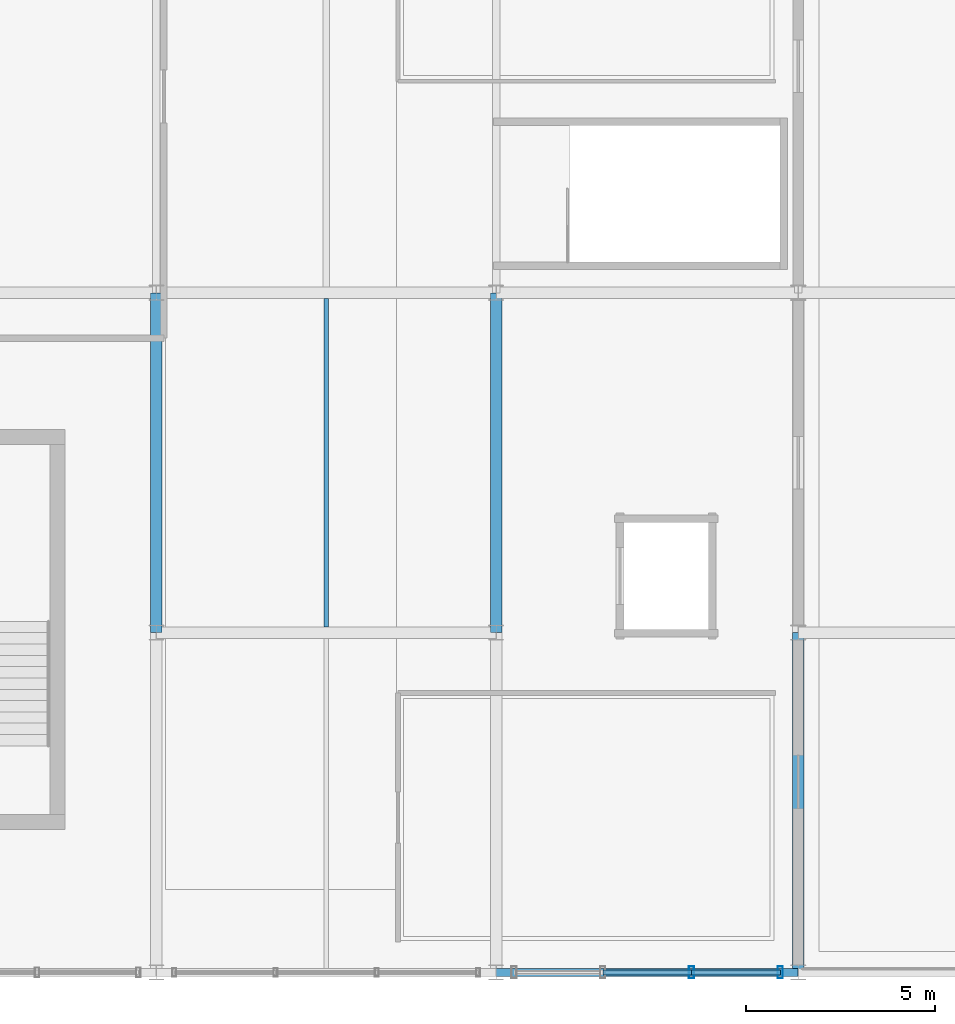
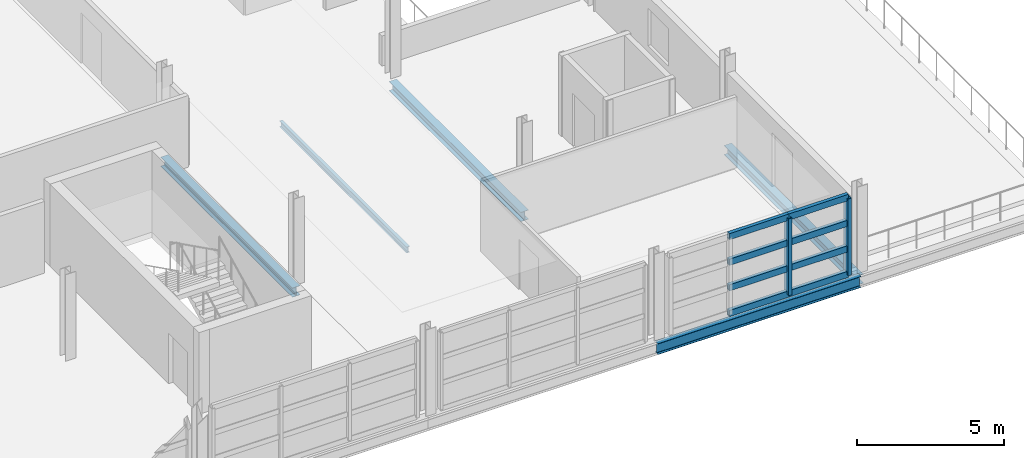
# One storey, part 63 of 116: 10 members, 5 beams, 1 element without a shape of its own.
"""IFC4 building model written with IfcOpenShell, lengths in metres."""

from ifc_helpers import new_model, si_unit, direction, frame, origin, origin_2d, place, context, subcontext, project, spatial, hollow_rectangle, i_section, extrude, material, material_profile, profile_set, type_object, element, aggregate, save


model = new_model("IFC4")

# Units and contexts
model_context = context("Model", 3, precision=1e-05, world=origin(), true_north=direction((0.0, 1.0)))
body_context = subcontext(model_context, "Body", "Model", "MODEL_VIEW")
ifc_project = project(units=[si_unit("LENGTHUNIT", "METRE"), si_unit("AREAUNIT", "SQUARE_METRE"), si_unit("VOLUMEUNIT", "CUBIC_METRE"), si_unit("PLANEANGLEUNIT", "RADIAN"), si_unit("MASSUNIT", "GRAM", prefix="KILO")], contexts=[model_context])

# Site, building, storey
site_placement = place(None, origin())
site = spatial("IfcSite", under=ifc_project, at=site_placement, CompositionType="ELEMENT")
building_placement = place(site_placement, origin())
building = spatial("IfcBuilding", under=site, at=building_placement, Name="Chuanluo Vaults Station", CompositionType="ELEMENT")
storey_placement = place(building_placement, frame((0.0, 0.0, 10.800048828125)))
storey = spatial("IfcBuildingStorey", under=building, at=storey_placement, Name="L02", CompositionType="ELEMENT", Elevation=10.800048828125)

# Beams
ifc_material_1 = material(Name="Steel Q355C", Category="steel")
ifc_material_profile_1 = material_profile(ifc_material_1, i_section(OverallWidth=0.300048828125, OverallDepth=0.389892578125, WebThickness=0.010009765625, FlangeThickness=0.01611328125, FilletRadius=0.02001953125, at=origin_2d()))
ifc_profile_set_1 = profile_set([ifc_material_profile_1], Name="Steel Q355C")
beam_type_1 = type_object("IfcBeamType", Name="BM-GRD-400", PredefinedType="BEAM", material=ifc_profile_set_1)
for number, where, z_axis, x_axis, name in (
    (1, (163.0, 9.0, -0.43505859375), (0.0, 1.0, 0.0), (-1.0, 0.0, 0.0), "Floor girder BM:GY:L02:0664"),
    (2, (172.0, 9.0, -0.43505859375), (0.0, 1.0, 0.0), (-1.0, 0.0, 0.0), "Floor girder BM:GY:L02:0676"),
    (3, (180.0, 0.0, -0.445068359375), (0.0, 1.0, 0.0), (-1.0, 0.0, 0.0), "Floor girder BM:GY:L02:0687"),
):
    element("IfcBeam", number, at=place(storey_placement, frame(where, z_axis=z_axis, x_axis=x_axis)), inside=storey, type_object=beam_type_1, Name=name, PredefinedType="BEAM", context=body_context, shape_type="SweptSolid", body=[
        extrude(i_section(OverallWidth=0.300048828125, OverallDepth=0.389892578125, WebThickness=0.010009765625, FlangeThickness=0.01611328125, FilletRadius=0.02001953125, at=origin_2d()), origin(), (0.0, 0.0, 1.0), 9.0),
    ])
ifc_material_2 = material(Name="Steel Q355C", Category="steel")
ifc_material_profile_2 = material_profile(ifc_material_2, i_section(OverallWidth=0.125, OverallDepth=0.25, WebThickness=0.006103515625, FlangeThickness=0.009033203125, FilletRadius=0.011962890625, at=origin_2d()))
ifc_profile_set_2 = profile_set([ifc_material_profile_2], Name="Steel Q355C")
beam_type_2 = type_object("IfcBeamType", Name="BM-SEC-250", PredefinedType="JOIST", material=ifc_profile_set_2)
beam_1_placement = place(storey_placement, frame((167.5, 9.155029296875, -0.364990234375), z_axis=(0.0, 1.0, 0.0), x_axis=(-1.0, 0.0, 0.0)))
element("IfcBeam", 4, at=beam_1_placement, inside=storey, type_object=beam_type_2, Name="Composite secondary joist 0218", PredefinedType="JOIST", context=body_context, shape_type="SweptSolid", body=[
    extrude(i_section(OverallWidth=0.125, OverallDepth=0.25, WebThickness=0.006103515625, FlangeThickness=0.009033203125, FilletRadius=0.011962890625, at=origin_2d()), origin(), (0.0, 0.0, 1.0), 8.68994140625),
])
ifc_material_3 = material(Name="Steel Q355C", Category="steel")
ifc_material_profile_3 = material_profile(ifc_material_3, i_section(OverallWidth=0.205078125, OverallDepth=0.4599609375, WebThickness=0.009033203125, FlangeThickness=0.013916015625, FilletRadius=0.01611328125, at=origin_2d()))
ifc_profile_set_3 = profile_set([ifc_material_profile_3], Name="Steel Q355C")
beam_type_3 = type_object("IfcBeamType", Name="BM-SPN-450", PredefinedType="SPANDREL", material=ifc_profile_set_3)
beam_2_placement = place(storey_placement, frame((172.0, 0.0, -0.469970703125), z_axis=(1.0, 0.0, 0.0), x_axis=(0.0, 1.0, 0.0)))
element("IfcBeam", 5, at=beam_2_placement, inside=storey, type_object=beam_type_3, Name="Floor girder BM:GX:L02:0539", PredefinedType="SPANDREL", context=body_context, shape_type="SweptSolid", body=[
    extrude(i_section(OverallWidth=0.205078125, OverallDepth=0.4599609375, WebThickness=0.009033203125, FlangeThickness=0.013916015625, FilletRadius=0.01611328125, at=origin_2d()), origin(), (0.0, 0.0, 1.0), 8.0),
])

# Curtain wall, members
ifc_material_4 = material(Name="Anodised aluminium 6063-T6", Category="aluminium")
curtain_wall_type = type_object("IfcCurtainWallType", Name="CW-SYS-01", PredefinedType="NOTDEFINED", material=ifc_material_4)
curtain_wall_placement = place(storey_placement, origin())
curtain_wall = element("IfcCurtainWall", 6, at=curtain_wall_placement, inside=storey, type_object=curtain_wall_type, Name="Retail pavilion L02 facade CW", PredefinedType="NOTDEFINED")
ifc_material_5 = material(Name="Anodised aluminium 6063-T6", Category="aluminium")
ifc_material_profile_4 = material_profile(ifc_material_5, hollow_rectangle(XDim=0.139892578125, YDim=0.320068359375, WallThickness=0.008056640625, at=origin_2d()))
ifc_profile_set_4 = profile_set([ifc_material_profile_4], Name="Anodised aluminium 6063-T6")
member_type_1 = type_object("IfcMemberType", Name="CWM-220", PredefinedType="MULLION", material=ifc_profile_set_4)
member_1_placement = place(storey_placement, frame((179.52490234375, 0.0, 0.0), z_axis=(0.0, 0.0, 1.0), x_axis=(-1.0, 0.0, 0.0)))
member_1 = element("IfcMember", 7, at=member_1_placement, type_object=member_type_1, Name="Retail pavilion L02 facade CW mullion 1", PredefinedType="MULLION", context=body_context, shape_type="SweptSolid", body=[
    extrude(hollow_rectangle(XDim=0.139892578125, YDim=0.320068359375, WallThickness=0.008056640625, at=origin_2d()), origin(), (0.0, 0.0, 1.0), 3.199951171875),
])
member_2_placement = place(storey_placement, frame((177.175048828125, 0.0, 0.0), z_axis=(0.0, 0.0, 1.0), x_axis=(-1.0, 0.0, 0.0)))
member_2 = element("IfcMember", 8, at=member_2_placement, type_object=member_type_1, Name="Retail pavilion L02 facade CW mullion 2", PredefinedType="MULLION", context=body_context, shape_type="SweptSolid", body=[
    extrude(hollow_rectangle(XDim=0.139892578125, YDim=0.320068359375, WallThickness=0.008056640625, at=origin_2d()), origin(), (0.0, 0.0, 1.0), 3.199951171875),
])
ifc_material_6 = material(Name="Anodised aluminium 6063-T6", Category="aluminium")
ifc_material_profile_5 = material_profile(ifc_material_6, hollow_rectangle(XDim=0.139892578125, YDim=0.260009765625, WallThickness=0.007080078125, at=origin_2d()))
ifc_profile_set_5 = profile_set([ifc_material_profile_5], Name="Anodised aluminium 6063-T6")
member_type_2 = type_object("IfcMemberType", Name="CWT-180", PredefinedType="USERDEFINED", material=ifc_profile_set_5)
member_3_placement = place(storey_placement, frame((179.52490234375, 0.0, 0.0), z_axis=(-1.0, 0.0, 0.0), x_axis=(0.0, -1.0, 0.0)))
member_3 = element("IfcMember", 9, at=member_3_placement, type_object=member_type_2, Name="Retail pavilion L02 facade CW transom 1.1", ObjectType="TRANSOM", PredefinedType="USERDEFINED", context=body_context, shape_type="SweptSolid", body=[
    extrude(hollow_rectangle(XDim=0.139892578125, YDim=0.260009765625, WallThickness=0.007080078125, at=origin_2d()), origin(), (0.0, 0.0, 1.0), 2.349853515625),
])
member_4_placement = place(storey_placement, frame((179.52490234375, 0.0, 1.066650390625), z_axis=(-1.0, 0.0, 0.0), x_axis=(0.0, -1.0, 0.0)))
member_4 = element("IfcMember", 10, at=member_4_placement, type_object=member_type_2, Name="Retail pavilion L02 facade CW transom 1.2", ObjectType="TRANSOM", PredefinedType="USERDEFINED", context=body_context, shape_type="SweptSolid", body=[
    extrude(hollow_rectangle(XDim=0.139892578125, YDim=0.260009765625, WallThickness=0.007080078125, at=origin_2d()), origin(), (0.0, 0.0, 1.0), 2.349853515625),
])
member_5_placement = place(storey_placement, frame((179.52490234375, 0.0, 2.13330078125), z_axis=(-1.0, 0.0, 0.0), x_axis=(0.0, -1.0, 0.0)))
member_5 = element("IfcMember", 11, at=member_5_placement, type_object=member_type_2, Name="Retail pavilion L02 facade CW transom 1.3", ObjectType="TRANSOM", PredefinedType="USERDEFINED", context=body_context, shape_type="SweptSolid", body=[
    extrude(hollow_rectangle(XDim=0.139892578125, YDim=0.260009765625, WallThickness=0.007080078125, at=origin_2d()), origin(), (0.0, 0.0, 1.0), 2.349853515625),
])
member_6_placement = place(storey_placement, frame((179.52490234375, 0.0, 3.199951171875), z_axis=(-1.0, 0.0, 0.0), x_axis=(0.0, -1.0, 0.0)))
member_6 = element("IfcMember", 12, at=member_6_placement, type_object=member_type_2, Name="Retail pavilion L02 facade CW transom 1.4", ObjectType="TRANSOM", PredefinedType="USERDEFINED", context=body_context, shape_type="SweptSolid", body=[
    extrude(hollow_rectangle(XDim=0.139892578125, YDim=0.260009765625, WallThickness=0.007080078125, at=origin_2d()), origin(), (0.0, 0.0, 1.0), 2.349853515625),
])
member_7_placement = place(storey_placement, frame((177.175048828125, 0.0, 0.0), z_axis=(-1.0, 0.0, 0.0), x_axis=(0.0, -1.0, 0.0)))
member_7 = element("IfcMember", 13, at=member_7_placement, type_object=member_type_2, Name="Retail pavilion L02 facade CW transom 2.1", ObjectType="TRANSOM", PredefinedType="USERDEFINED", context=body_context, shape_type="SweptSolid", body=[
    extrude(hollow_rectangle(XDim=0.139892578125, YDim=0.260009765625, WallThickness=0.007080078125, at=origin_2d()), origin(), (0.0, 0.0, 1.0), 2.35009765625),
])
member_8_placement = place(storey_placement, frame((177.175048828125, 0.0, 1.066650390625), z_axis=(-1.0, 0.0, 0.0), x_axis=(0.0, -1.0, 0.0)))
member_8 = element("IfcMember", 14, at=member_8_placement, type_object=member_type_2, Name="Retail pavilion L02 facade CW transom 2.2", ObjectType="TRANSOM", PredefinedType="USERDEFINED", context=body_context, shape_type="SweptSolid", body=[
    extrude(hollow_rectangle(XDim=0.139892578125, YDim=0.260009765625, WallThickness=0.007080078125, at=origin_2d()), origin(), (0.0, 0.0, 1.0), 2.35009765625),
])
member_9_placement = place(storey_placement, frame((177.175048828125, 0.0, 2.13330078125), z_axis=(-1.0, 0.0, 0.0), x_axis=(0.0, -1.0, 0.0)))
member_9 = element("IfcMember", 15, at=member_9_placement, type_object=member_type_2, Name="Retail pavilion L02 facade CW transom 2.3", ObjectType="TRANSOM", PredefinedType="USERDEFINED", context=body_context, shape_type="SweptSolid", body=[
    extrude(hollow_rectangle(XDim=0.139892578125, YDim=0.260009765625, WallThickness=0.007080078125, at=origin_2d()), origin(), (0.0, 0.0, 1.0), 2.35009765625),
])
member_10_placement = place(storey_placement, frame((177.175048828125, 0.0, 3.199951171875), z_axis=(-1.0, 0.0, 0.0), x_axis=(0.0, -1.0, 0.0)))
member_10 = element("IfcMember", 16, at=member_10_placement, type_object=member_type_2, Name="Retail pavilion L02 facade CW transom 2.4", ObjectType="TRANSOM", PredefinedType="USERDEFINED", context=body_context, shape_type="SweptSolid", body=[
    extrude(hollow_rectangle(XDim=0.139892578125, YDim=0.260009765625, WallThickness=0.007080078125, at=origin_2d()), origin(), (0.0, 0.0, 1.0), 2.35009765625),
])
aggregate(curtain_wall, [member_1, member_2, member_3, member_4, member_5, member_6, member_7, member_8, member_9, member_10])

save(model, "model.ifc")
